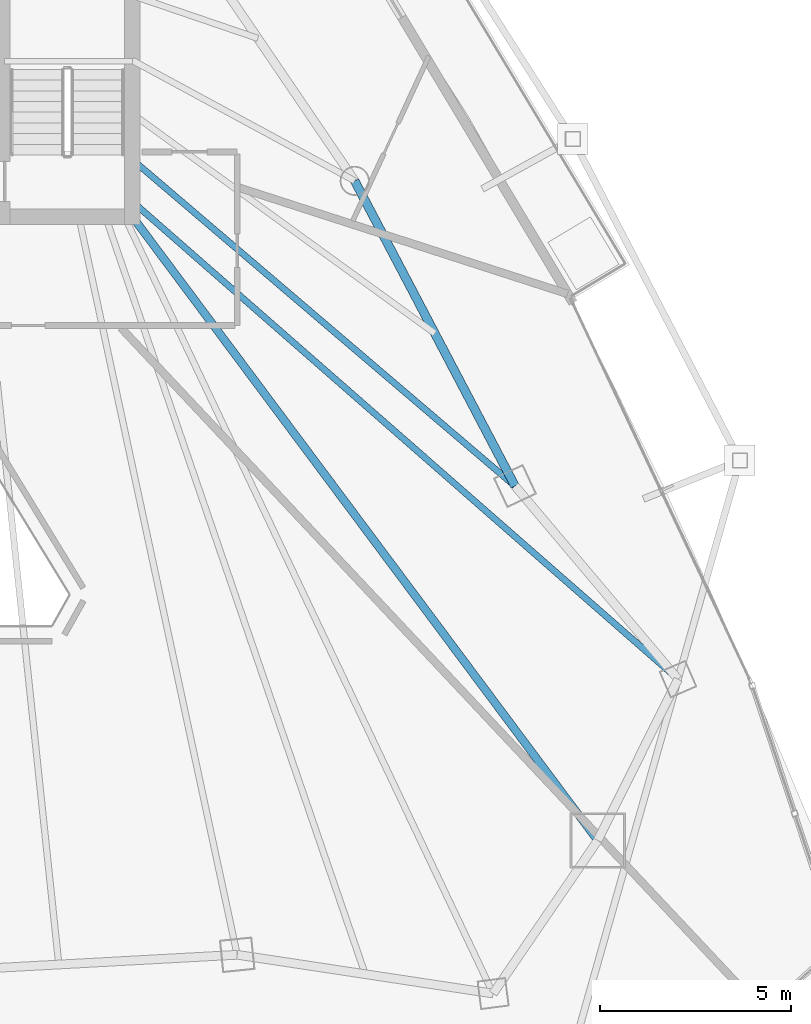
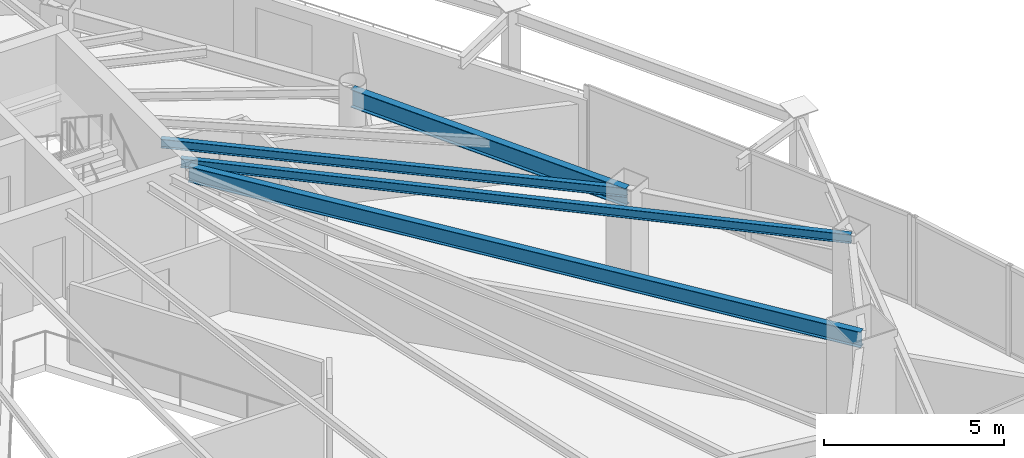
# One storey, part 17 of 31: 4 beams.
"""IFC4 building model written with IfcOpenShell, lengths in metres."""

from ifc_helpers import new_model, si_unit, direction, frame, origin, origin_2d, place, context, subcontext, project, spatial, i_section, extrude, material, material_profile, profile_set, type_object, element, save


model = new_model("IFC4")

# Units and contexts
model_context = context("Model", 3, precision=1e-05, world=origin(), true_north=direction((0.0, 1.0)))
body_context = subcontext(model_context, "Body", "Model", "MODEL_VIEW")
ifc_project = project(units=[si_unit("LENGTHUNIT", "METRE"), si_unit("AREAUNIT", "SQUARE_METRE"), si_unit("VOLUMEUNIT", "CUBIC_METRE"), si_unit("PLANEANGLEUNIT", "RADIAN"), si_unit("MASSUNIT", "GRAM", prefix="KILO")], contexts=[model_context])

# Site, building, storey
site_placement = place(None, origin())
site = spatial("IfcSite", under=ifc_project, at=site_placement, CompositionType="ELEMENT")
building_placement = place(site_placement, origin())
building = spatial("IfcBuilding", under=site, at=building_placement, Name="Orvanel Arch Residences", CompositionType="ELEMENT")
storey_placement = place(building_placement, frame((0.0, 0.0, 157.25)))
storey = spatial("IfcBuildingStorey", under=building, at=storey_placement, Name="L44", CompositionType="ELEMENT", Elevation=157.25)

# Beams
ifc_material = material(Name="Structural steel AS/NZS 3679.1 Grade 300 (300 MPa)", Category="steel")
ifc_material_profile_1 = material_profile(ifc_material, i_section(OverallWidth=0.208984375, OverallDepth=0.532958984375, WebThickness=0.01025390625, FlangeThickness=0.015625, at=origin_2d()), Name="530UB92.4")
ifc_profile_set_1 = profile_set([ifc_material_profile_1], Name="Structural steel AS/NZS 3679.1 Grade 300 (300 MPa)")
beam_type_1 = type_object("IfcBeamType", Name="BG-530UB", PredefinedType="BEAM", material=ifc_profile_set_1)
beam_1_placement = place(storey_placement, frame((39.625, 26.675048828125, 2.79296875), z_axis=(0.597893733742, -0.801575375839, 0.0), x_axis=(0.801575375839, 0.597893733742, 0.0)))
element("IfcBeam", 1, at=beam_1_placement, inside=storey, type_object=beam_type_1, Name="L44 South-East Radial Girder", PredefinedType="BEAM", context=body_context, shape_type="SweptSolid", body=[
    extrude(i_section(OverallWidth=0.208984375, OverallDepth=0.532958984375, WebThickness=0.01025390625, FlangeThickness=0.015625, at=origin_2d()), origin(), (0.0, 0.0, 1.0), 20.36474609375),
])
ifc_material_profile_2 = material_profile(ifc_material, i_section(OverallWidth=0.1650390625, OverallDepth=0.303955078125, WebThickness=0.006103515625, FlangeThickness=0.01025390625, at=origin_2d()), Name="310UB40.4")
ifc_profile_set_2 = profile_set([ifc_material_profile_2], Name="Structural steel AS/NZS 3679.1 Grade 300 (300 MPa)")
beam_type_2 = type_object("IfcBeamType", Name="BJ-310UB", PredefinedType="JOIST", material=ifc_profile_set_2)
beam_2_placement = place(storey_placement, frame((39.60009765625, 28.199951171875, 2.907958984375), z_axis=(0.760821315761, -0.648961420644, 0.0), x_axis=(0.648961420644, 0.760821315761, 0.0)))
element("IfcBeam", 2, at=beam_2_placement, inside=storey, type_object=beam_type_2, Name="L44 E Wing Floor Joist", PredefinedType="JOIST", context=body_context, shape_type="SweptSolid", body=[
    extrude(i_section(OverallWidth=0.1650390625, OverallDepth=0.303955078125, WebThickness=0.006103515625, FlangeThickness=0.01025390625, at=origin_2d()), origin(), (0.0, 0.0, 1.0), 13.18701171875),
])
beam_3_placement = place(storey_placement, frame((39.60009765625, 27.10009765625, 2.907958984375), z_axis=(0.752493154183, -0.658600070534, 0.0), x_axis=(0.658600070534, 0.752493154183, 0.0)))
element("IfcBeam", 3, at=beam_3_placement, inside=storey, type_object=beam_type_2, Name="L44 ME Wing Floor Joist", PredefinedType="JOIST", context=body_context, shape_type="SweptSolid", body=[
    extrude(i_section(OverallWidth=0.1650390625, OverallDepth=0.303955078125, WebThickness=0.006103515625, FlangeThickness=0.01025390625, at=origin_2d()), origin(), (0.0, 0.0, 1.0), 19.010009765625),
])
ifc_material_profile_3 = material_profile(ifc_material, i_section(OverallWidth=0.22900390625, OverallDepth=0.612060546875, WebThickness=0.011962890625, FlangeThickness=0.01953125, at=origin_2d()), Name="610UB125")
ifc_profile_set_3 = profile_set([ifc_material_profile_3], Name="Structural steel AS/NZS 3679.1 Grade 300 (300 MPa)")
beam_type_3 = type_object("IfcBeamType", Name="SP-610UB", PredefinedType="SPANDREL", material=ifc_profile_set_3)
beam_4_placement = place(storey_placement, frame((49.633056640625, 19.64208984375, 2.75390625), z_axis=(-0.465064762793, 0.885276660942, 0.0), x_axis=(-0.885276660942, -0.465064762793, 0.0)))
element("IfcBeam", 4, at=beam_4_placement, inside=storey, type_object=beam_type_3, Name="L44 Perimeter Spandrel Beam 11", PredefinedType="SPANDREL", context=body_context, shape_type="SweptSolid", body=[
    extrude(i_section(OverallWidth=0.22900390625, OverallDepth=0.612060546875, WebThickness=0.011962890625, FlangeThickness=0.01953125, at=origin_2d()), origin(), (0.0, 0.0, 1.0), 9.03564453125),
])

save(model, "model.ifc")
